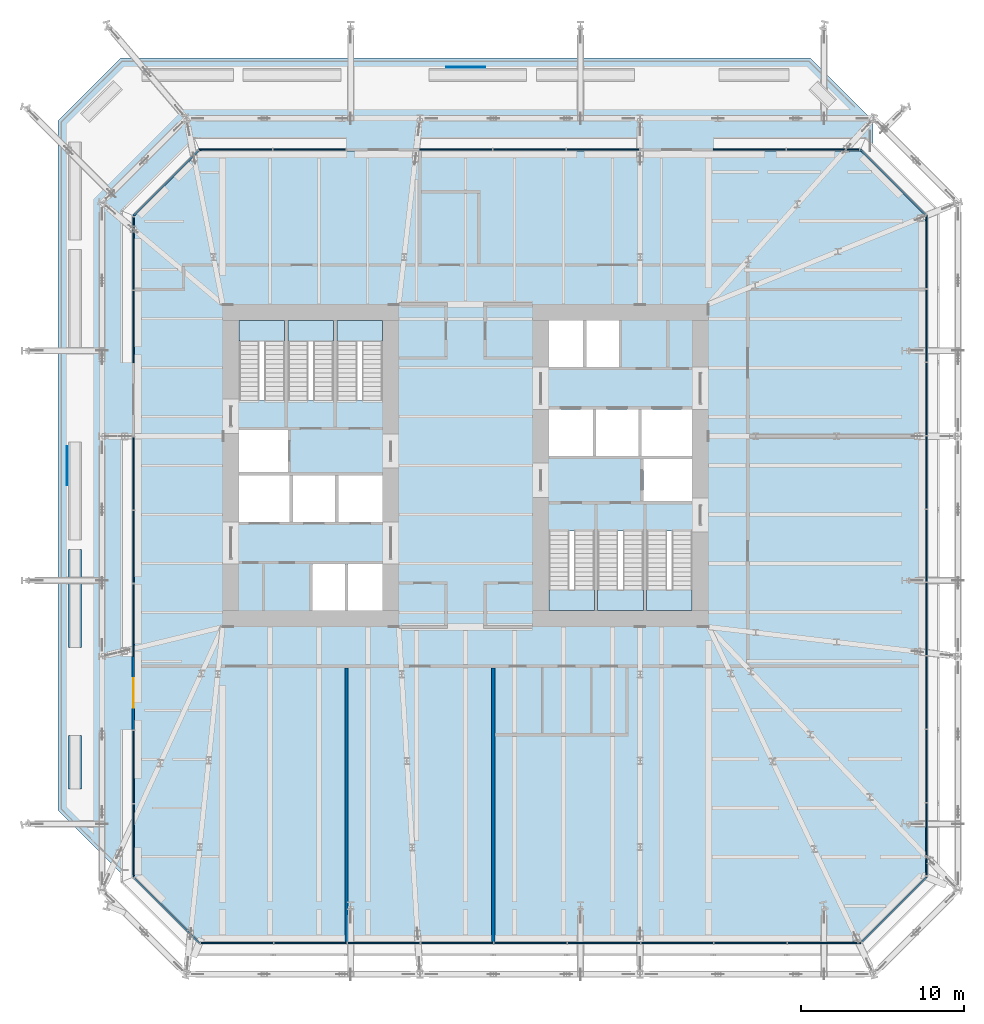
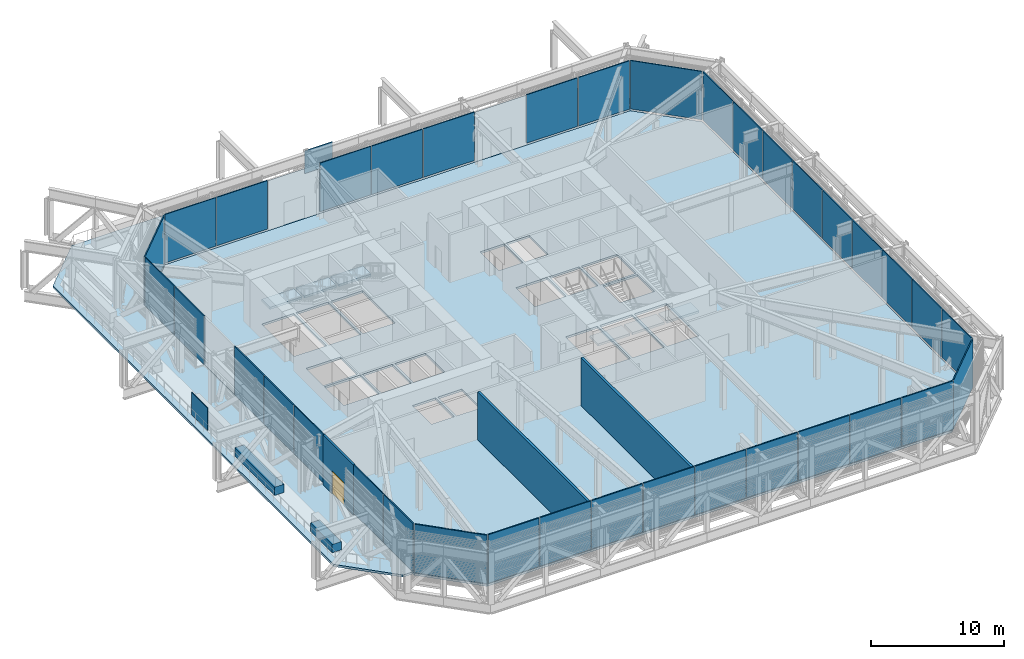
# One storey, part 16 of 29: 38 plates, 8 slabs, 5 walls, 1 door, 1 opening, 14 elements without a shape of their own.
"""IFC4 building model written with IfcOpenShell, lengths in metres."""

from ifc_helpers import new_model, si_unit, direction, frame, frame_2d, origin, origin_2d, place, context, subcontext, project, spatial, polyline, rectangle, outline, extrude, material, layer, layer_set, type_object, element, fill, aggregate, save


model = new_model("IFC4")

# Units and contexts
model_context = context("Model", 3, precision=1e-05, world=origin(), true_north=direction((0.0, 1.0)))
body_context = subcontext(model_context, "Body", "Model", "MODEL_VIEW")
ifc_project = project(units=[si_unit("LENGTHUNIT", "METRE"), si_unit("AREAUNIT", "SQUARE_METRE"), si_unit("VOLUMEUNIT", "CUBIC_METRE"), si_unit("PLANEANGLEUNIT", "RADIAN"), si_unit("MASSUNIT", "GRAM", prefix="KILO")], contexts=[model_context])

# Site, building, storey
site_placement = place(None, origin())
site = spatial("IfcSite", under=ifc_project, at=site_placement, CompositionType="ELEMENT")
building_placement = place(site_placement, origin())
building = spatial("IfcBuilding", under=site, at=building_placement, Name="Millrace Tower", CompositionType="ELEMENT")
storey_placement = place(building_placement, frame((0.0, 0.0, 68.60009765625)))
storey = spatial("IfcBuildingStorey", under=building, at=storey_placement, Name="L15", CompositionType="ELEMENT", Elevation=68.60009765625)

# Curtain wall, plate
ifc_material_1 = material(Name="Aluminium and glass", Category="aluminium")
ifc_layer_1 = layer(ifc_material_1, 0.14990234375)
ifc_layer_set_1 = layer_set([ifc_layer_1], Name="Aluminium and glass")
curtain_wall_type = type_object("IfcCurtainWallType", Name="CW-5 truss and plant storey louvred infill", PredefinedType="NOTDEFINED", material=ifc_layer_set_1)
placement_1 = place(storey_placement, origin())
curtain_wall_1 = element("IfcCurtainWall", 1, at=placement_1, inside=storey, type_object=curtain_wall_type, Name="Curtain wall B-F01 L15", PredefinedType="NOTDEFINED")
ifc_material_2 = material(Name="Glass", Category="glass")
ifc_layer_2 = layer(ifc_material_2, 0.090087890625)
ifc_layer_set_2 = layer_set([ifc_layer_2], Name="Glass")
plate_type_1 = type_object("IfcPlateType", Name="CW-5 truss and plant storey louvred infill louvre cassette", PredefinedType="CURTAIN_PANEL", material=ifc_layer_set_2)
placement_2 = place(storey_placement, frame((0.0, 0.0, 0.139892578125)))
plate_1 = element("IfcPlate", 2, at=placement_2, type_object=plate_type_1, Name="CW5 panel B-F01.1", PredefinedType="CURTAIN_PANEL", context=body_context, shape_type="SweptSolid", body=[
    extrude(outline(polyline([(-20.3388671875, -25.330810546875), (-16.349609375, -29.320068359375), (-16.3125, -29.22998046875), (-20.275146484375, -25.26708984375), (-20.3388671875, -25.330810546875)])), origin(), (0.0, 0.0, 1.0), 4.4599609375),
])
aggregate(curtain_wall_1, [plate_1])

# Curtain wall, plates
curtain_wall_2 = element("IfcCurtainWall", 3, at=placement_1, inside=storey, type_object=curtain_wall_type, Name="Curtain wall B-F02 L15", PredefinedType="NOTDEFINED")
plate_2 = element("IfcPlate", 4, at=placement_2, type_object=plate_type_1, Name="CW5 panel B-F02.1", PredefinedType="CURTAIN_PANEL", context=body_context, shape_type="SweptSolid", body=[
    extrude(outline(polyline([(-16.235107421875, -29.320068359375), (-11.800048828125, -29.320068359375), (-11.800048828125, -29.22998046875), (-16.235107421875, -29.22998046875), (-16.235107421875, -29.320068359375)])), origin(), (0.0, 0.0, 1.0), 4.4599609375),
])
plate_3 = element("IfcPlate", 5, at=placement_2, type_object=plate_type_1, Name="CW5 panel B-F02.2", PredefinedType="CURTAIN_PANEL", context=body_context, shape_type="SweptSolid", body=[
    extrude(outline(polyline([(-11.735107421875, -29.320068359375), (-7.300048828125, -29.320068359375), (-7.300048828125, -29.22998046875), (-11.735107421875, -29.22998046875), (-11.735107421875, -29.320068359375)])), origin(), (0.0, 0.0, 1.0), 4.4599609375),
])
plate_4 = element("IfcPlate", 6, at=placement_2, type_object=plate_type_1, Name="CW5 panel B-F02.3", PredefinedType="CURTAIN_PANEL", context=body_context, shape_type="SweptSolid", body=[
    extrude(outline(polyline([(-7.235107421875, -29.320068359375), (-2.800048828125, -29.320068359375), (-2.800048828125, -29.22998046875), (-7.235107421875, -29.22998046875), (-7.235107421875, -29.320068359375)])), origin(), (0.0, 0.0, 1.0), 4.4599609375),
])
plate_5 = element("IfcPlate", 7, at=placement_2, type_object=plate_type_1, Name="CW5 panel B-F02.4", PredefinedType="CURTAIN_PANEL", context=body_context, shape_type="SweptSolid", body=[
    extrude(outline(polyline([(-2.735107421875, -29.320068359375), (1.699951171875, -29.320068359375), (1.699951171875, -29.22998046875), (-2.735107421875, -29.22998046875), (-2.735107421875, -29.320068359375)])), origin(), (0.0, 0.0, 1.0), 4.4599609375),
])
plate_6 = element("IfcPlate", 8, at=placement_2, type_object=plate_type_1, Name="CW5 panel B-F02.5", PredefinedType="CURTAIN_PANEL", context=body_context, shape_type="SweptSolid", body=[
    extrude(outline(polyline([(1.764892578125, -29.320068359375), (6.199951171875, -29.320068359375), (6.199951171875, -29.22998046875), (1.764892578125, -29.22998046875), (1.764892578125, -29.320068359375)])), origin(), (0.0, 0.0, 1.0), 4.4599609375),
])
plate_7 = element("IfcPlate", 9, at=placement_2, type_object=plate_type_1, Name="CW5 panel B-F02.6", PredefinedType="CURTAIN_PANEL", context=body_context, shape_type="SweptSolid", body=[
    extrude(outline(polyline([(6.264892578125, -29.320068359375), (10.699951171875, -29.320068359375), (10.699951171875, -29.22998046875), (6.264892578125, -29.22998046875), (6.264892578125, -29.320068359375)])), origin(), (0.0, 0.0, 1.0), 4.4599609375),
])
plate_8 = element("IfcPlate", 10, at=placement_2, type_object=plate_type_1, Name="CW5 panel B-F02.7", PredefinedType="CURTAIN_PANEL", context=body_context, shape_type="SweptSolid", body=[
    extrude(outline(polyline([(10.764892578125, -29.320068359375), (15.199951171875, -29.320068359375), (15.199951171875, -29.22998046875), (10.764892578125, -29.22998046875), (10.764892578125, -29.320068359375)])), origin(), (0.0, 0.0, 1.0), 4.4599609375),
])
plate_9 = element("IfcPlate", 11, at=placement_2, type_object=plate_type_1, Name="CW5 panel B-F02.8", PredefinedType="CURTAIN_PANEL", context=body_context, shape_type="SweptSolid", body=[
    extrude(outline(polyline([(15.264892578125, -29.320068359375), (19.699951171875, -29.320068359375), (19.699951171875, -29.22998046875), (15.264892578125, -29.22998046875), (15.264892578125, -29.320068359375)])), origin(), (0.0, 0.0, 1.0), 4.4599609375),
])
plate_10 = element("IfcPlate", 12, at=placement_2, type_object=plate_type_1, Name="CW5 panel B-F02.9", PredefinedType="CURTAIN_PANEL", context=body_context, shape_type="SweptSolid", body=[
    extrude(outline(polyline([(19.764892578125, -29.320068359375), (24.249755859375, -29.320068359375), (24.21240234375, -29.22998046875), (19.764892578125, -29.22998046875), (19.764892578125, -29.320068359375)])), origin(), (0.0, 0.0, 1.0), 4.4599609375),
])
aggregate(curtain_wall_2, [plate_2, plate_3, plate_4, plate_5, plate_6, plate_7, plate_8, plate_9, plate_10])

# Curtain wall, plate
curtain_wall_3 = element("IfcCurtainWall", 13, at=placement_1, inside=storey, type_object=curtain_wall_type, Name="Curtain wall B-F03 L15", PredefinedType="NOTDEFINED")
plate_11 = element("IfcPlate", 14, at=placement_2, type_object=plate_type_1, Name="CW5 panel B-F03.1", PredefinedType="CURTAIN_PANEL", context=body_context, shape_type="SweptSolid", body=[
    extrude(outline(polyline([(24.330810546875, -29.23876953125), (28.320068359375, -25.249755859375), (28.22998046875, -25.21240234375), (24.26708984375, -29.17529296875), (24.330810546875, -29.23876953125)])), origin(), (0.0, 0.0, 1.0), 4.4599609375),
])
aggregate(curtain_wall_3, [plate_11])

# Curtain wall, plates
curtain_wall_4 = element("IfcCurtainWall", 15, at=placement_1, inside=storey, type_object=curtain_wall_type, Name="Curtain wall B-F04 L15", PredefinedType="NOTDEFINED")
plate_12 = element("IfcPlate", 16, at=placement_2, type_object=plate_type_1, Name="CW5 panel B-F04.1", PredefinedType="CURTAIN_PANEL", context=body_context, shape_type="SweptSolid", body=[
    extrude(outline(polyline([(28.320068359375, -25.135009765625), (28.320068359375, -20.699951171875), (28.22998046875, -20.699951171875), (28.22998046875, -25.135009765625), (28.320068359375, -25.135009765625)])), origin(), (0.0, 0.0, 1.0), 4.4599609375),
])
plate_13 = element("IfcPlate", 17, at=placement_2, type_object=plate_type_1, Name="CW5 panel B-F04.2", PredefinedType="CURTAIN_PANEL", context=body_context, shape_type="SweptSolid", body=[
    extrude(outline(polyline([(28.320068359375, -20.635009765625), (28.320068359375, -16.199951171875), (28.22998046875, -16.199951171875), (28.22998046875, -20.635009765625), (28.320068359375, -20.635009765625)])), origin(), (0.0, 0.0, 1.0), 4.4599609375),
])
plate_14 = element("IfcPlate", 18, at=placement_2, type_object=plate_type_1, Name="CW5 panel B-F04.3", PredefinedType="CURTAIN_PANEL", context=body_context, shape_type="SweptSolid", body=[
    extrude(outline(polyline([(28.320068359375, -16.135009765625), (28.320068359375, -11.699951171875), (28.22998046875, -11.699951171875), (28.22998046875, -16.135009765625), (28.320068359375, -16.135009765625)])), origin(), (0.0, 0.0, 1.0), 4.4599609375),
])
plate_15 = element("IfcPlate", 19, at=placement_2, type_object=plate_type_1, Name="CW5 panel B-F04.4", PredefinedType="CURTAIN_PANEL", context=body_context, shape_type="SweptSolid", body=[
    extrude(outline(polyline([(28.320068359375, -11.635009765625), (28.320068359375, -7.199951171875), (28.22998046875, -7.199951171875), (28.22998046875, -11.635009765625), (28.320068359375, -11.635009765625)])), origin(), (0.0, 0.0, 1.0), 4.4599609375),
])
plate_16 = element("IfcPlate", 20, at=placement_2, type_object=plate_type_1, Name="CW5 panel B-F04.5", PredefinedType="CURTAIN_PANEL", context=body_context, shape_type="SweptSolid", body=[
    extrude(outline(polyline([(28.320068359375, -7.135009765625), (28.320068359375, -2.699951171875), (28.22998046875, -2.699951171875), (28.22998046875, -7.135009765625), (28.320068359375, -7.135009765625)])), origin(), (0.0, 0.0, 1.0), 4.4599609375),
])
plate_17 = element("IfcPlate", 21, at=placement_2, type_object=plate_type_1, Name="CW5 panel B-F04.6", PredefinedType="CURTAIN_PANEL", context=body_context, shape_type="SweptSolid", body=[
    extrude(outline(polyline([(28.320068359375, -2.635009765625), (28.320068359375, 1.800048828125), (28.22998046875, 1.800048828125), (28.22998046875, -2.635009765625), (28.320068359375, -2.635009765625)])), origin(), (0.0, 0.0, 1.0), 4.4599609375),
])
plate_18 = element("IfcPlate", 22, at=placement_2, type_object=plate_type_1, Name="CW5 panel B-F04.7", PredefinedType="CURTAIN_PANEL", context=body_context, shape_type="SweptSolid", body=[
    extrude(outline(polyline([(28.320068359375, 1.864990234375), (28.320068359375, 6.300048828125), (28.22998046875, 6.300048828125), (28.22998046875, 1.864990234375), (28.320068359375, 1.864990234375)])), origin(), (0.0, 0.0, 1.0), 4.4599609375),
])
plate_19 = element("IfcPlate", 23, at=placement_2, type_object=plate_type_1, Name="CW5 panel B-F04.8", PredefinedType="CURTAIN_PANEL", context=body_context, shape_type="SweptSolid", body=[
    extrude(outline(polyline([(28.320068359375, 6.364990234375), (28.320068359375, 10.800048828125), (28.22998046875, 10.800048828125), (28.22998046875, 6.364990234375), (28.320068359375, 6.364990234375)])), origin(), (0.0, 0.0, 1.0), 4.4599609375),
])
plate_20 = element("IfcPlate", 24, at=placement_2, type_object=plate_type_1, Name="CW5 panel B-F04.9", PredefinedType="CURTAIN_PANEL", context=body_context, shape_type="SweptSolid", body=[
    extrude(outline(polyline([(28.320068359375, 10.864990234375), (28.320068359375, 15.349609375), (28.22998046875, 15.3125), (28.22998046875, 10.864990234375), (28.320068359375, 10.864990234375)])), origin(), (0.0, 0.0, 1.0), 4.4599609375),
])
aggregate(curtain_wall_4, [plate_12, plate_13, plate_14, plate_15, plate_16, plate_17, plate_18, plate_19, plate_20])

# Curtain wall, plate
curtain_wall_5 = element("IfcCurtainWall", 25, at=placement_1, inside=storey, type_object=curtain_wall_type, Name="Curtain wall B-F05 L15", PredefinedType="NOTDEFINED")
plate_21 = element("IfcPlate", 26, at=placement_2, type_object=plate_type_1, Name="CW5 panel B-F05.1", PredefinedType="CURTAIN_PANEL", context=body_context, shape_type="SweptSolid", body=[
    extrude(outline(polyline([(28.23876953125, 15.430908203125), (24.249755859375, 19.419921875), (24.21240234375, 19.330078125), (28.17529296875, 15.3671875), (28.23876953125, 15.430908203125)])), origin(), (0.0, 0.0, 1.0), 4.4599609375),
])
aggregate(curtain_wall_5, [plate_21])

# Curtain wall, plates
curtain_wall_6 = element("IfcCurtainWall", 27, at=placement_1, inside=storey, type_object=curtain_wall_type, Name="Curtain wall B-F06 L15", PredefinedType="NOTDEFINED")
plate_22 = element("IfcPlate", 28, at=placement_2, type_object=plate_type_1, Name="CW5 panel B-F06.1", PredefinedType="CURTAIN_PANEL", context=body_context, shape_type="SweptSolid", body=[
    extrude(outline(polyline([(24.135009765625, 19.419921875), (19.699951171875, 19.419921875), (19.699951171875, 19.330078125), (24.135009765625, 19.330078125), (24.135009765625, 19.419921875)])), origin(), (0.0, 0.0, 1.0), 4.4599609375),
])
plate_23 = element("IfcPlate", 29, at=placement_2, type_object=plate_type_1, Name="CW5 panel B-F06.2", PredefinedType="CURTAIN_PANEL", context=body_context, shape_type="SweptSolid", body=[
    extrude(outline(polyline([(19.635009765625, 19.419921875), (15.199951171875, 19.419921875), (15.199951171875, 19.330078125), (19.635009765625, 19.330078125), (19.635009765625, 19.419921875)])), origin(), (0.0, 0.0, 1.0), 4.4599609375),
])
plate_24 = element("IfcPlate", 30, at=placement_2, type_object=plate_type_1, Name="CW5 panel B-F06.4", PredefinedType="CURTAIN_PANEL", context=body_context, shape_type="SweptSolid", body=[
    extrude(outline(polyline([(10.635009765625, 19.419921875), (6.199951171875, 19.419921875), (6.199951171875, 19.330078125), (10.635009765625, 19.330078125), (10.635009765625, 19.419921875)])), origin(), (0.0, 0.0, 1.0), 4.4599609375),
])
plate_25 = element("IfcPlate", 31, at=placement_2, type_object=plate_type_1, Name="CW5 panel B-F06.5", PredefinedType="CURTAIN_PANEL", context=body_context, shape_type="SweptSolid", body=[
    extrude(outline(polyline([(6.135009765625, 19.419921875), (1.699951171875, 19.419921875), (1.699951171875, 19.330078125), (6.135009765625, 19.330078125), (6.135009765625, 19.419921875)])), origin(), (0.0, 0.0, 1.0), 4.4599609375),
])
plate_26 = element("IfcPlate", 32, at=placement_2, type_object=plate_type_1, Name="CW5 panel B-F06.6", PredefinedType="CURTAIN_PANEL", context=body_context, shape_type="SweptSolid", body=[
    extrude(outline(polyline([(1.635009765625, 19.419921875), (-2.800048828125, 19.419921875), (-2.800048828125, 19.330078125), (1.635009765625, 19.330078125), (1.635009765625, 19.419921875)])), origin(), (0.0, 0.0, 1.0), 4.4599609375),
])
plate_27 = element("IfcPlate", 33, at=placement_2, type_object=plate_type_1, Name="CW5 panel B-F06.8", PredefinedType="CURTAIN_PANEL", context=body_context, shape_type="SweptSolid", body=[
    extrude(outline(polyline([(-7.364990234375, 19.419921875), (-11.800048828125, 19.419921875), (-11.800048828125, 19.330078125), (-7.364990234375, 19.330078125), (-7.364990234375, 19.419921875)])), origin(), (0.0, 0.0, 1.0), 4.4599609375),
])
plate_28 = element("IfcPlate", 34, at=placement_2, type_object=plate_type_1, Name="CW5 panel B-F06.9", PredefinedType="CURTAIN_PANEL", context=body_context, shape_type="SweptSolid", body=[
    extrude(outline(polyline([(-11.864990234375, 19.419921875), (-16.349609375, 19.419921875), (-16.3125, 19.330078125), (-11.864990234375, 19.330078125), (-11.864990234375, 19.419921875)])), origin(), (0.0, 0.0, 1.0), 4.4599609375),
])
aggregate(curtain_wall_6, [plate_22, plate_23, plate_24, plate_25, plate_26, plate_27, plate_28])

# Curtain wall, plate
curtain_wall_7 = element("IfcCurtainWall", 35, at=placement_1, inside=storey, type_object=curtain_wall_type, Name="Curtain wall B-F07 L15", PredefinedType="NOTDEFINED")
plate_29 = element("IfcPlate", 36, at=placement_2, type_object=plate_type_1, Name="CW5 panel B-F07.1", PredefinedType="CURTAIN_PANEL", context=body_context, shape_type="SweptSolid", body=[
    extrude(outline(polyline([(-16.430908203125, 19.3388671875), (-20.419921875, 15.349609375), (-20.330078125, 15.3125), (-16.3671875, 19.275146484375), (-16.430908203125, 19.3388671875)])), origin(), (0.0, 0.0, 1.0), 4.4599609375),
])
aggregate(curtain_wall_7, [plate_29])

# Curtain wall, plates
curtain_wall_8 = element("IfcCurtainWall", 37, at=placement_1, inside=storey, type_object=curtain_wall_type, Name="Curtain wall B-F08 L15", PredefinedType="NOTDEFINED")
plate_30 = element("IfcPlate", 38, at=placement_2, type_object=plate_type_1, Name="CW5 panel B-F08.1", PredefinedType="CURTAIN_PANEL", context=body_context, shape_type="SweptSolid", body=[
    extrude(outline(polyline([(-20.419921875, 15.235107421875), (-20.419921875, 10.800048828125), (-20.330078125, 10.800048828125), (-20.330078125, 15.235107421875), (-20.419921875, 15.235107421875)])), origin(), (0.0, 0.0, 1.0), 4.4599609375),
])
plate_31 = element("IfcPlate", 39, at=placement_2, type_object=plate_type_1, Name="CW5 panel B-F08.2", PredefinedType="CURTAIN_PANEL", context=body_context, shape_type="SweptSolid", body=[
    extrude(outline(polyline([(-20.419921875, 10.735107421875), (-20.419921875, 6.300048828125), (-20.330078125, 6.300048828125), (-20.330078125, 10.735107421875), (-20.419921875, 10.735107421875)])), origin(), (0.0, 0.0, 1.0), 4.4599609375),
])
plate_32 = element("IfcPlate", 40, at=placement_2, type_object=plate_type_1, Name="CW5 panel B-F08.4", PredefinedType="CURTAIN_PANEL", context=body_context, shape_type="SweptSolid", body=[
    extrude(outline(polyline([(-20.419921875, 1.735107421875), (-20.419921875, -2.699951171875), (-20.330078125, -2.699951171875), (-20.330078125, 1.735107421875), (-20.419921875, 1.735107421875)])), origin(), (0.0, 0.0, 1.0), 4.4599609375),
])
plate_33 = element("IfcPlate", 41, at=placement_2, type_object=plate_type_1, Name="CW5 panel B-F08.5", PredefinedType="CURTAIN_PANEL", context=body_context, shape_type="SweptSolid", body=[
    extrude(outline(polyline([(-20.419921875, -2.764892578125), (-20.419921875, -7.199951171875), (-20.330078125, -7.199951171875), (-20.330078125, -2.764892578125), (-20.419921875, -2.764892578125)])), origin(), (0.0, 0.0, 1.0), 4.4599609375),
])
plate_34 = element("IfcPlate", 42, at=placement_2, type_object=plate_type_1, Name="CW5 panel B-F08.6", PredefinedType="CURTAIN_PANEL", context=body_context, shape_type="SweptSolid", body=[
    extrude(outline(polyline([(-20.419921875, -7.264892578125), (-20.419921875, -11.699951171875), (-20.330078125, -11.699951171875), (-20.330078125, -7.264892578125), (-20.419921875, -7.264892578125)])), origin(), (0.0, 0.0, 1.0), 4.4599609375),
])
plate_35 = element("IfcPlate", 43, at=placement_2, type_object=plate_type_1, Name="CW5 panel B-F08.8", PredefinedType="CURTAIN_PANEL", context=body_context, shape_type="SweptSolid", body=[
    extrude(outline(polyline([(-20.419921875, -16.264892578125), (-20.419921875, -20.699951171875), (-20.330078125, -20.699951171875), (-20.330078125, -16.264892578125), (-20.419921875, -16.264892578125)])), origin(), (0.0, 0.0, 1.0), 4.4599609375),
])
plate_36 = element("IfcPlate", 44, at=placement_2, type_object=plate_type_1, Name="CW5 panel B-F08.9", PredefinedType="CURTAIN_PANEL", context=body_context, shape_type="SweptSolid", body=[
    extrude(outline(polyline([(-20.419921875, -20.764892578125), (-20.419921875, -25.249755859375), (-20.330078125, -25.21240234375), (-20.330078125, -20.764892578125), (-20.419921875, -20.764892578125)])), origin(), (0.0, 0.0, 1.0), 4.4599609375),
])
aggregate(curtain_wall_8, [plate_30, plate_31, plate_32, plate_33, plate_34, plate_35, plate_36])

# Slabs
ifc_material_3 = material(Name="Concrete C35 on steel deck", Category="concrete")
ifc_layer_3 = layer(ifc_material_3, 0.199951171875)
ifc_layer_set_3 = layer_set([ifc_layer_3], Name="Concrete C35 on steel deck")
slab_type_1 = type_object("IfcSlabType", Name="Composite floor slab 200 mm", PredefinedType="FLOOR", material=ifc_layer_set_3)
placement_3 = place(storey_placement, frame((0.0, 0.0, -0.2001953125)))
element("IfcSlab", 45, at=placement_3, inside=storey, type_object=slab_type_1, Name="SL-B-L15-S1", PredefinedType="FLOOR", context=body_context, shape_type="SweptSolid", body=[
    extrude(outline(polyline([(-20.300048828125, -25.199951171875), (-16.300048828125, -29.199951171875), (24.199951171875, -29.199951171875), (28.199951171875, -25.199951171875), (28.199951171875, 15.300048828125), (24.199951171875, 19.300048828125), (-16.300048828125, 19.300048828125), (-20.300048828125, 15.300048828125), (-20.300048828125, -25.199951171875)]), holes=[polyline([(-9.39990234375, -8.89990234375), (-7.39990234375, -8.89990234375), (-7.39990234375, -6.050048828125), (-9.39990234375, -6.050048828125), (-9.39990234375, -8.89990234375)]), polyline([(-7.199951171875, -8.89990234375), (-5.10009765625, -8.89990234375), (-5.10009765625, -6.050048828125), (-7.199951171875, -6.050048828125), (-7.199951171875, -8.89990234375)]), polyline([(-13.89990234375, -3.449951171875), (-10.800048828125, -3.449951171875), (-10.800048828125, -0.60009765625), (-13.89990234375, -0.60009765625), (-13.89990234375, -3.449951171875)]), polyline([(-10.60009765625, -3.449951171875), (-8.0, -3.449951171875), (-8.0, -0.60009765625), (-10.60009765625, -0.60009765625), (-10.60009765625, -3.449951171875)]), polyline([(-7.800048828125, -3.449951171875), (-5.10009765625, -3.449951171875), (-5.10009765625, -0.60009765625), (-7.800048828125, -0.60009765625), (-7.800048828125, -3.449951171875)]), polyline([(-13.89990234375, -0.39990234375), (-10.89990234375, -0.39990234375), (-10.89990234375, 2.179931640625), (-13.89990234375, 2.179931640625), (-13.89990234375, -0.39990234375)]), polyline([(-13.89990234375, 4.0), (-11.10009765625, 4.0), (-11.10009765625, 8.89990234375), (-13.89990234375, 8.89990234375), (-13.89990234375, 4.0)]), polyline([(-10.89990234375, 4.0), (-8.10009765625, 4.0), (-8.10009765625, 8.89990234375), (-10.89990234375, 8.89990234375), (-10.89990234375, 4.0)]), polyline([(-7.89990234375, 4.0), (-5.10009765625, 4.0), (-5.10009765625, 8.89990234375), (-7.89990234375, 8.89990234375), (-7.89990234375, 4.0)]), polyline([(7.39990234375, 6.050048828125), (9.39990234375, 6.050048828125), (9.39990234375, 8.89990234375), (7.39990234375, 8.89990234375), (7.39990234375, 6.050048828125)]), polyline([(5.10009765625, 6.050048828125), (7.199951171875, 6.050048828125), (7.199951171875, 8.89990234375), (5.10009765625, 8.89990234375), (5.10009765625, 6.050048828125)]), polyline([(10.800048828125, 0.60009765625), (13.89990234375, 0.60009765625), (13.89990234375, 3.449951171875), (10.800048828125, 3.449951171875), (10.800048828125, 0.60009765625)]), polyline([(8.0, 0.60009765625), (10.60009765625, 0.60009765625), (10.60009765625, 3.449951171875), (8.0, 3.449951171875), (8.0, 0.60009765625)]), polyline([(5.10009765625, 0.60009765625), (7.800048828125, 0.60009765625), (7.800048828125, 3.449951171875), (5.10009765625, 3.449951171875), (5.10009765625, 0.60009765625)]), polyline([(10.89990234375, -2.179931640625), (13.89990234375, -2.179931640625), (13.89990234375, 0.39990234375), (10.89990234375, 0.39990234375), (10.89990234375, -2.179931640625)]), polyline([(11.10009765625, -8.89990234375), (13.89990234375, -8.89990234375), (13.89990234375, -4.0), (11.10009765625, -4.0), (11.10009765625, -8.89990234375)]), polyline([(8.10009765625, -8.89990234375), (10.89990234375, -8.89990234375), (10.89990234375, -4.0), (8.10009765625, -4.0), (8.10009765625, -8.89990234375)]), polyline([(5.10009765625, -8.89990234375), (7.89990234375, -8.89990234375), (7.89990234375, -4.0), (5.10009765625, -4.0), (5.10009765625, -8.89990234375)])]), origin(), (0.0, 0.0, 1.0), 0.2001953125),
])
ifc_material_4 = material(Name="Concrete C35 on steel deck", Category="concrete")
ifc_layer_4 = layer(ifc_material_4, 0.199951171875)
ifc_layer_set_4 = layer_set([ifc_layer_4], Name="Concrete C35 on steel deck")
slab_type_2 = type_object("IfcSlabType", Name="Composite roof slab 200 mm", PredefinedType="ROOF", material=ifc_layer_set_4)
element("IfcSlab", 46, at=placement_3, inside=storey, type_object=slab_type_2, Name="SL-A-L14-R1", PredefinedType="ROOF", context=body_context, shape_type="SweptSolid", body=[
    extrude(outline(polyline([(-21.14990234375, -25.0), (-25.0, -21.14990234375), (-25.0, 21.14990234375), (-21.14990234375, 25.0), (21.14990234375, 25.0), (25.0, 21.14990234375), (25.0, 18.5), (24.199951171875, 19.300048828125), (-16.300048828125, 19.300048828125), (-20.300048828125, 15.300048828125), (-20.300048828125, -25.0), (-21.14990234375, -25.0)])), origin(), (0.0, 0.0, 1.0), 0.2001953125),
])

# Stair, slab
ifc_material_5 = material(Name="Concrete C35", Category="concrete")
stair_type = type_object("IfcStairType", Name="Exit stair", PredefinedType="HALF_TURN_STAIR", material=ifc_material_5)
stair_1 = element("IfcStair", 47, at=placement_1, inside=storey, type_object=stair_type, Name="Stair 1 W L15", PredefinedType="HALF_TURN_STAIR")
ifc_material_6 = material(Name="Concrete C40", Category="concrete")
ifc_layer_5 = layer(ifc_material_6, 0.199951171875)
ifc_layer_set_5 = layer_set([ifc_layer_5], Name="Concrete C40")
slab_type_3 = type_object("IfcSlabType", Name="Stair landing", PredefinedType="LANDING", material=ifc_layer_set_5)
placement_4 = place(storey_placement, frame((0.0, 0.0, 2.099853515625)))
slab_3 = element("IfcSlab", 48, at=placement_4, type_object=slab_type_3, Name="ST12 landing 1", PredefinedType="LANDING", context=body_context, shape_type="SweptSolid", body=[
    extrude(outline(polyline([(-13.89990234375, 7.639892578125), (-11.10009765625, 7.639892578125), (-11.10009765625, 8.89990234375), (-13.89990234375, 8.89990234375), (-13.89990234375, 7.639892578125)])), origin(), (0.0, 0.0, 1.0), 0.199951171875),
])
aggregate(stair_1, [slab_3])

stair_2 = element("IfcStair", 49, at=placement_1, inside=storey, type_object=stair_type, Name="Stair 2 W L15", PredefinedType="HALF_TURN_STAIR")
slab_4 = element("IfcSlab", 50, at=placement_4, type_object=slab_type_3, Name="ST12 landing 1", PredefinedType="LANDING", context=body_context, shape_type="SweptSolid", body=[
    extrude(outline(polyline([(-10.89990234375, 7.639892578125), (-8.10009765625, 7.639892578125), (-8.10009765625, 8.89990234375), (-10.89990234375, 8.89990234375), (-10.89990234375, 7.639892578125)])), origin(), (0.0, 0.0, 1.0), 0.199951171875),
])
aggregate(stair_2, [slab_4])

stair_3 = element("IfcStair", 51, at=placement_1, inside=storey, type_object=stair_type, Name="Stair 3 W L15", PredefinedType="HALF_TURN_STAIR")
slab_5 = element("IfcSlab", 52, at=placement_4, type_object=slab_type_3, Name="ST12 landing 1", PredefinedType="LANDING", context=body_context, shape_type="SweptSolid", body=[
    extrude(outline(polyline([(-7.89990234375, 7.639892578125), (-5.10009765625, 7.639892578125), (-5.10009765625, 8.89990234375), (-7.89990234375, 8.89990234375), (-7.89990234375, 7.639892578125)])), origin(), (0.0, 0.0, 1.0), 0.199951171875),
])
aggregate(stair_3, [slab_5])

stair_4 = element("IfcStair", 53, at=placement_1, inside=storey, type_object=stair_type, Name="Stair 1 E L15", PredefinedType="HALF_TURN_STAIR")
slab_6 = element("IfcSlab", 54, at=placement_4, type_object=slab_type_3, Name="ST12 landing 1", PredefinedType="LANDING", context=body_context, shape_type="SweptSolid", body=[
    extrude(outline(polyline([(11.10009765625, -8.89990234375), (13.89990234375, -8.89990234375), (13.89990234375, -7.639892578125), (11.10009765625, -7.639892578125), (11.10009765625, -8.89990234375)])), origin(), (0.0, 0.0, 1.0), 0.199951171875),
])
aggregate(stair_4, [slab_6])

stair_5 = element("IfcStair", 55, at=placement_1, inside=storey, type_object=stair_type, Name="Stair 2 E L15", PredefinedType="HALF_TURN_STAIR")
slab_7 = element("IfcSlab", 56, at=placement_4, type_object=slab_type_3, Name="ST12 landing 1", PredefinedType="LANDING", context=body_context, shape_type="SweptSolid", body=[
    extrude(outline(polyline([(8.10009765625, -8.89990234375), (10.89990234375, -8.89990234375), (10.89990234375, -7.639892578125), (8.10009765625, -7.639892578125), (8.10009765625, -8.89990234375)])), origin(), (0.0, 0.0, 1.0), 0.199951171875),
])
aggregate(stair_5, [slab_7])

stair_6 = element("IfcStair", 57, at=placement_1, inside=storey, type_object=stair_type, Name="Stair 3 E L15", PredefinedType="HALF_TURN_STAIR")
slab_8 = element("IfcSlab", 58, at=placement_4, type_object=slab_type_3, Name="ST12 landing 1", PredefinedType="LANDING", context=body_context, shape_type="SweptSolid", body=[
    extrude(outline(polyline([(5.10009765625, -8.89990234375), (7.89990234375, -8.89990234375), (7.89990234375, -7.639892578125), (5.10009765625, -7.639892578125), (5.10009765625, -8.89990234375)])), origin(), (0.0, 0.0, 1.0), 0.199951171875),
])
aggregate(stair_6, [slab_8])

# Plates
ifc_material_7 = material(Name="Laminated glass", Category="glass")
ifc_layer_6 = layer(ifc_material_7, 0.050048828125)
ifc_layer_set_6 = layer_set([ifc_layer_6], Name="Laminated glass")
plate_type_2 = type_object("IfcPlateType", Name="WIND SCREEN laminated glass panel 2100", PredefinedType="SHEET", material=ifc_layer_set_6)
for number, where, z_axis, x_axis, name in (
    (59, (0.0, 24.425048828125, -0.000244140625), (0.0, 0.0, 1.0), (-1.0, 0.0, 0.0), "WIND SCREEN T-L14-1 1.1"),
    (60, (-24.425048828125, 0.0, -0.000244140625), (0.0, 0.0, 1.0), (0.0, -1.0, 0.0), "WIND SCREEN T-L14-1 1.3"),
):
    element("IfcPlate", number, at=place(storey_placement, frame(where, z_axis=z_axis, x_axis=x_axis)), inside=storey, type_object=plate_type_2, Name=name, PredefinedType="SHEET", context=body_context, shape_type="SweptSolid", body=[
        extrude(rectangle(XDim=2.39990234375, YDim=0.050048828125, at=origin_2d()), origin(), (0.0, 0.0, 1.0), 2.10009765625),
    ])

# Walls
ifc_material_8 = material(Name="Masonry partition, fire-rated", Category="masonry")
ifc_layer_7 = layer(ifc_material_8, 0.199951171875)
ifc_layer_set_7 = layer_set([ifc_layer_7], Name="Masonry partition, fire-rated")
wall_type_1 = type_object("IfcWallType", Name="Corridor wall 200", PredefinedType="PARTITIONING", material=ifc_layer_set_7)
for number, where, z_axis, x_axis, name in (
    (61, (1.699951171875, -29.22998046875, 0.0), (0.0, 0.0, 1.0), (0.0, 1.0, 0.0), "Corridor wall L15"),
    (62, (-7.300048828125, -29.22998046875, 0.0), (0.0, 0.0, 1.0), (0.0, 1.0, 0.0), "Corridor wall L15"),
):
    element("IfcWall", number, at=place(storey_placement, frame(where, z_axis=z_axis, x_axis=x_axis)), inside=storey, type_object=wall_type_1, Name=name, PredefinedType="PARTITIONING", context=body_context, shape_type="SweptSolid", body=[
        extrude(rectangle(XDim=16.830078125, YDim=0.199951171875, at=frame_2d((8.4150390625, 0.0))), origin(), (0.0, 0.0, 1.0), 4.39990234375),
    ])

# Wall, opening, door
ifc_material_9 = material(Name="Aluminium framed glazing", Category="aluminium")
ifc_layer_8 = layer(ifc_material_9, 0.14990234375)
ifc_layer_set_8 = layer_set([ifc_layer_8], Name="Aluminium framed glazing")
wall_type_2 = type_object("IfcWallType", Name="Entrance infill wall 150 thick", PredefinedType="STANDARD", material=ifc_layer_set_8)
wall_1_placement = place(storey_placement, frame((-20.375, -11.699951171875, 0.0), z_axis=(0.0, 0.0, 1.0), x_axis=(0.0, -1.0, 0.0)))
wall_1 = element("IfcWall", 63, at=wall_1_placement, inside=storey, type_object=wall_type_2, Name="Entrance infill wall B-F08 7", PredefinedType="STANDARD", context=body_context, shape_type="SweptSolid", body=[
    extrude(rectangle(XDim=4.56494140625, YDim=0.14990234375, at=frame_2d((2.282470703125, 0.0))), origin(), (0.0, 0.0, 1.0), 4.599853515625),
])
opening_placement = place(wall_1_placement, frame((1.35009765625, 0.0, 0.0)))
opening = element("IfcOpeningElement", 64, at=opening_placement, cuts=wall_1, Name="Opening 15-X004", PredefinedType="OPENING", context=body_context, shape_type="SweptSolid", body=[
    extrude(rectangle(XDim=1.800048828125, YDim=2.10009765625, at=frame_2d((0.89990234375, 1.050048828125))), frame((0.0, 0.0849609375, 0.0), z_axis=(0.0, -1.0, 0.0), x_axis=(1.0, 0.0, 0.0)), (0.0, 0.0, 1.0), 0.169921875),
])
ifc_material_10 = material(Name="Aluminium and glass", Category="aluminium")
door_type = type_object("IfcDoorType", Name="Terrace double door", OperationType="DOUBLE_DOOR_DOUBLE_SWING", PredefinedType="DOOR", material=ifc_material_10)
door_placement = place(opening_placement, frame((1.800048828125, 0.0, 0.0), z_axis=(0.0, 0.0, 1.0), x_axis=(-1.0, 0.0, 0.0)))
door = element("IfcDoor", 65, at=door_placement, inside=storey, type_object=door_type, Name="15-X004", OperationType="DOUBLE_DOOR_DOUBLE_SWING", OverallHeight=2.10009765625, OverallWidth=1.800048828125, PredefinedType="DOOR", context=body_context, shape_type="SweptSolid", body=[
    extrude(rectangle(XDim=1.800048828125, YDim=2.10009765625, at=frame_2d((0.89990234375, 1.050048828125))), frame((0.0, 0.02490234375, 0.0), z_axis=(0.0, -1.0, 0.0), x_axis=(1.0, 0.0, 0.0)), (0.0, 0.0, 1.0), 0.050048828125),
])
fill(opening, door)

# Walls
ifc_material_11 = material(Name="Concrete C40", Category="concrete")
ifc_layer_9 = layer(ifc_material_11, 0.800048828125)
ifc_layer_set_9 = layer_set([ifc_layer_9], Name="Concrete C40")
wall_type_3 = type_object("IfcWallType", Name="PLANTER raised bed 760 high x 800 thick", PredefinedType="STANDARD", material=ifc_layer_set_9)
wall_2_placement = place(storey_placement, frame((-23.949951171875, -5.14990234375, 0.039794921875), z_axis=(0.0, 0.0, 1.0), x_axis=(0.0, -1.0, 0.0)))
element("IfcWall", 66, at=wall_2_placement, inside=storey, type_object=wall_type_3, Name="PLANTER raised bed T-L14-1 1.3.3", PredefinedType="STANDARD", context=body_context, shape_type="SweptSolid", body=[
    extrude(rectangle(XDim=6.0, YDim=0.800048828125, at=frame_2d((3.0, 0.0))), origin(), (0.0, 0.0, 1.0), 0.760009765625),
])
wall_3_placement = place(storey_placement, frame((-23.949951171875, -16.550048828125, 0.039794921875), z_axis=(0.0, 0.0, 1.0), x_axis=(0.0, -1.0, 0.0)))
element("IfcWall", 67, at=wall_3_placement, inside=storey, type_object=wall_type_3, Name="PLANTER raised bed T-L14-1 1.3.4", PredefinedType="STANDARD", context=body_context, shape_type="SweptSolid", body=[
    extrude(rectangle(XDim=3.292724609375, YDim=0.800048828125, at=frame_2d((1.646484375, 0.0))), origin(), (0.0, 0.0, 1.0), 0.760009765625),
])

save(model, "model.ifc")
